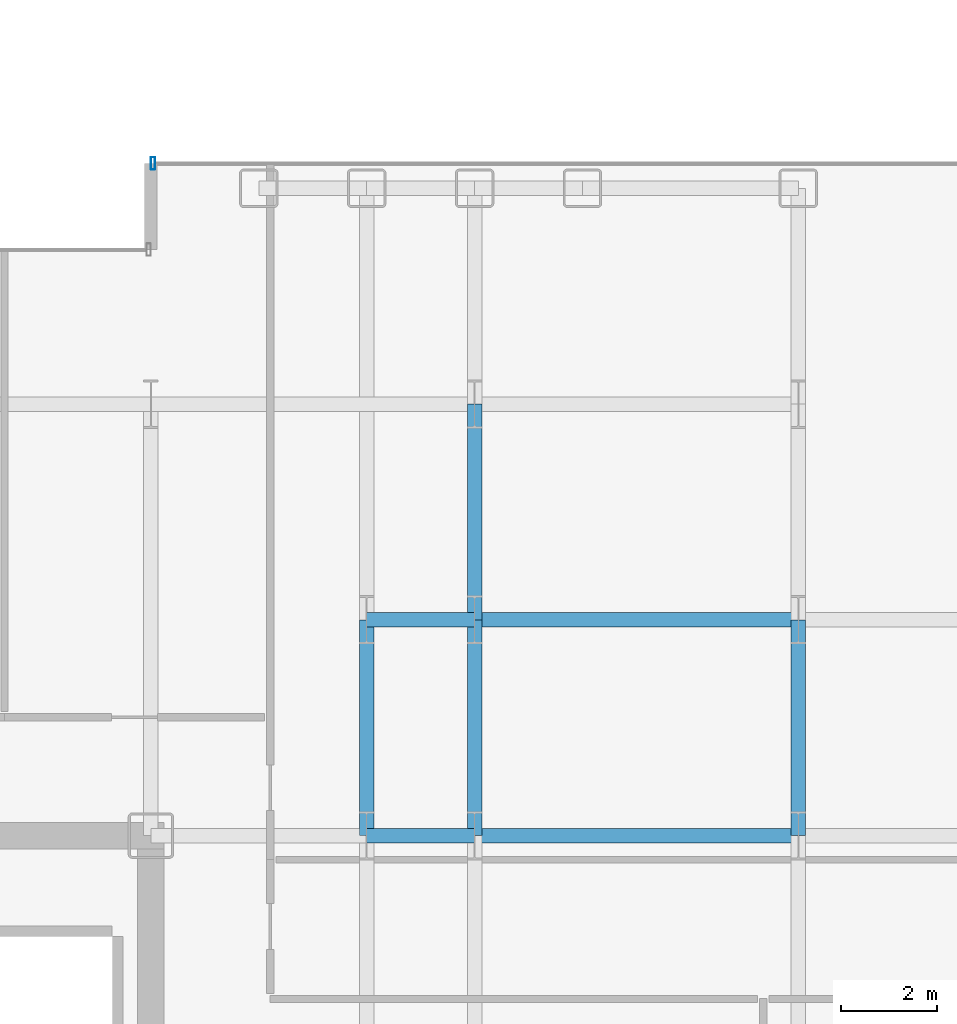
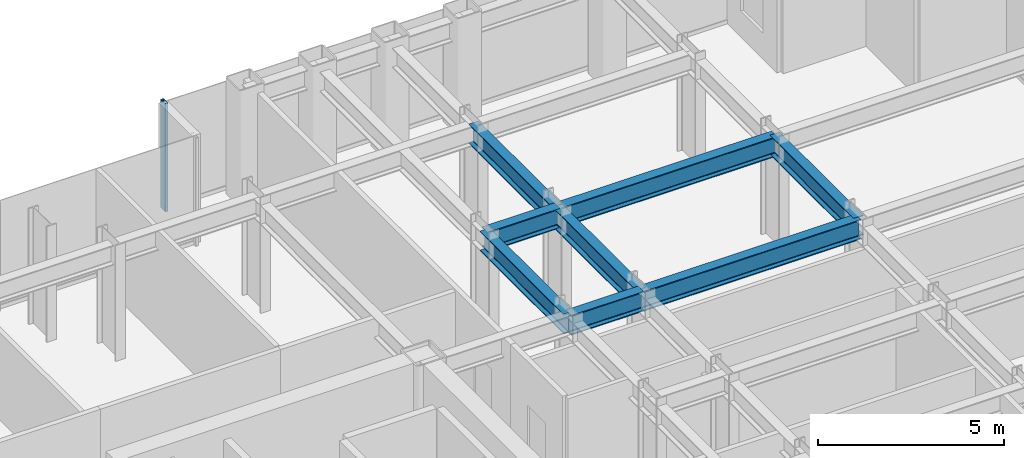
# One storey, part 15 of 29: 8 beams, 1 member, 1 element without a shape of its own.
"""IFC4 building model written with IfcOpenShell, lengths in metres."""

from ifc_helpers import new_model, si_unit, direction, frame, origin, origin_2d, place, context, subcontext, project, spatial, hollow_rectangle, i_section, extrude, source, transform, mapped, material, layer, layer_set, material_profile, profile_set, type_object, element, aggregate, save


model = new_model("IFC4")

# Units and contexts
model_context = context("Model", 3, precision=1e-05, world=origin(), true_north=direction((0.0, 1.0)))
body_context = subcontext(model_context, "Body", "Model", "MODEL_VIEW")
ifc_project = project(units=[si_unit("LENGTHUNIT", "METRE"), si_unit("AREAUNIT", "SQUARE_METRE"), si_unit("VOLUMEUNIT", "CUBIC_METRE"), si_unit("PLANEANGLEUNIT", "RADIAN"), si_unit("MASSUNIT", "GRAM", prefix="KILO")], contexts=[model_context])

# Site, building, storey
site_placement = place(None, origin())
site = spatial("IfcSite", under=ifc_project, at=site_placement, CompositionType="ELEMENT")
building_placement = place(site_placement, origin())
building = spatial("IfcBuilding", under=site, at=building_placement, Name="Nefas-Gora Pilgrimage Tower", CompositionType="ELEMENT")
storey_placement = place(building_placement, frame((0.0, 0.0, 136.39990234375)))
storey = spatial("IfcBuildingStorey", under=building, at=storey_placement, Name="L33", CompositionType="ELEMENT", Elevation=136.39990234375)

# Beams
ifc_material_1 = material(Name="Steel S355", Category="steel")
ifc_material_profile_1 = material_profile(ifc_material_1, i_section(OverallWidth=0.300048828125, OverallDepth=0.64990234375, WebThickness=0.01611328125, FlangeThickness=0.031005859375, FilletRadius=0.027099609375, at=origin_2d()), Name="HEB 650")
ifc_profile_set_1 = profile_set([ifc_material_profile_1], Name="Steel S355")
beam_type = type_object("IfcBeamType", Name="BM-GIR-HEB650", PredefinedType="BEAM", material=ifc_profile_set_1)
shared_shape_1 = source(origin(), body_context, "Body", "SweptSolid", [
    extrude(i_section(OverallWidth=0.300048828125, OverallDepth=0.64990234375, WebThickness=0.01611328125, FlangeThickness=0.031005859375, FilletRadius=0.027099609375, at=origin_2d()), origin(), (0.0, 0.0, 1.0), 4.5),
])
for number, where, z_axis, x_axis, name in (
    (1, (15.75, 9.0, 3.22509765625), (0.0, 1.0, 0.0), (-1.0, 0.0, 0.0), "L33 G-03 beam"),
    (2, (18.0, 9.0, 3.22509765625), (0.0, 1.0, 0.0), (-1.0, 0.0, 0.0), "L33 G-03 beam"),
    (3, (18.0, 13.5, 3.22509765625), (0.0, 1.0, 0.0), (-1.0, 0.0, 0.0), "L33 G-03 beam"),
    (4, (24.75, 9.0, 3.22509765625), (0.0, 1.0, 0.0), (-1.0, 0.0, 0.0), "L33 G-03 beam"),
):
    element("IfcBeam", number, at=place(storey_placement, frame(where, z_axis=z_axis, x_axis=x_axis)), inside=storey, type_object=beam_type, Name=name, PredefinedType="BEAM", context=body_context, shape_type="MappedRepresentation", body=[
        mapped(shared_shape_1, transform((0.0, 0.0, 0.0), x_axis=(1.0, 0.0, 0.0), y_axis=(0.0, 1.0, 0.0), z_axis=(0.0, 0.0, 1.0), scale=1.0)),
    ])
shared_shape_2 = source(origin(), body_context, "Body", "SweptSolid", [
    extrude(i_section(OverallWidth=0.300048828125, OverallDepth=0.64990234375, WebThickness=0.01611328125, FlangeThickness=0.031005859375, FilletRadius=0.027099609375, at=origin_2d()), origin(), (0.0, 0.0, 1.0), 6.75),
])
for number, where, z_axis, x_axis, name in (
    (5, (18.0, 9.0, 3.22509765625), (1.0, 0.0, 0.0), (0.0, 1.0, 0.0), "L33 G-03 beam"),
    (6, (18.0, 13.5, 3.22509765625), (1.0, 0.0, 0.0), (0.0, 1.0, 0.0), "L33 G-03 beam"),
):
    element("IfcBeam", number, at=place(storey_placement, frame(where, z_axis=z_axis, x_axis=x_axis)), inside=storey, type_object=beam_type, Name=name, PredefinedType="BEAM", context=body_context, shape_type="MappedRepresentation", body=[
        mapped(shared_shape_2, transform((0.0, 0.0, 0.0), x_axis=(1.0, 0.0, 0.0), y_axis=(0.0, 1.0, 0.0), z_axis=(0.0, 0.0, 1.0), scale=1.0)),
    ])
shared_shape_3 = source(origin(), body_context, "Body", "SweptSolid", [
    extrude(i_section(OverallWidth=0.300048828125, OverallDepth=0.64990234375, WebThickness=0.01611328125, FlangeThickness=0.031005859375, FilletRadius=0.027099609375, at=origin_2d()), origin(), (0.0, 0.0, 1.0), 2.25),
])
for number, where, z_axis, x_axis, name in (
    (7, (15.75, 9.0, 3.22509765625), (1.0, 0.0, 0.0), (0.0, 1.0, 0.0), "L33 G-03 beam"),
    (8, (15.75, 13.5, 3.22509765625), (1.0, 0.0, 0.0), (0.0, 1.0, 0.0), "L33 G-03 beam"),
):
    element("IfcBeam", number, at=place(storey_placement, frame(where, z_axis=z_axis, x_axis=x_axis)), inside=storey, type_object=beam_type, Name=name, PredefinedType="BEAM", context=body_context, shape_type="MappedRepresentation", body=[
        mapped(shared_shape_3, transform((0.0, 0.0, 0.0), x_axis=(1.0, 0.0, 0.0), y_axis=(0.0, 1.0, 0.0), z_axis=(0.0, 0.0, 1.0), scale=1.0)),
    ])

# Curtain wall, member
ifc_material_2 = material(Name="Dark ceramic-fritted solar-control aluminium-glass curtain wall", Category="aluminium")
ifc_layer = layer(ifc_material_2, 0.219970703125)
ifc_layer_set = layer_set([ifc_layer], Name="Dark ceramic-fritted solar-control aluminium-glass curtain wall")
curtain_wall_type = type_object("IfcCurtainWallType", Name="CW-SYS-2", PredefinedType="NOTDEFINED", material=ifc_layer_set)
curtain_wall_placement = place(storey_placement, origin())
curtain_wall = element("IfcCurtainWall", 9, at=curtain_wall_placement, inside=storey, type_object=curtain_wall_type, Name="L33 Unitised Curtain Wall CW2", PredefinedType="NOTDEFINED")
ifc_material_3 = material(Name="Anodised architectural aluminium", Category="aluminium")
ifc_material_profile_2 = material_profile(ifc_material_3, hollow_rectangle(XDim=0.090087890625, YDim=0.260009765625, WallThickness=0.006103515625, InnerFilletRadius=0.006103515625, OuterFilletRadius=0.011962890625, at=origin_2d()), Name="ALU MULLION 90x260")
ifc_profile_set_2 = profile_set([ifc_material_profile_2], Name="Anodised architectural aluminium")
member_type = type_object("IfcMemberType", Name="CWM-MUL-2", PredefinedType="MULLION", material=ifc_profile_set_2)
shared_shape_4 = source(origin(), body_context, "Body", "SweptSolid", [
    extrude(hollow_rectangle(XDim=0.090087890625, YDim=0.260009765625, WallThickness=0.006103515625, InnerFilletRadius=0.006103515625, OuterFilletRadius=0.011962890625, at=origin_2d()), origin(), (0.0, 0.0, 1.0), 3.550048828125),
])
member_placement = place(storey_placement, frame((11.294921875, 23.02001953125, 0.0), z_axis=(0.0, 0.0, 1.0), x_axis=(-1.0, 0.0, 0.0)))
member = element("IfcMember", 10, at=member_placement, type_object=member_type, Name="CW2 Mullion 2", PredefinedType="MULLION", context=body_context, shape_type="MappedRepresentation", body=[
    mapped(shared_shape_4, transform((0.0, 0.0, 0.0), x_axis=(1.0, 0.0, 0.0), y_axis=(0.0, 1.0, 0.0), z_axis=(0.0, 0.0, 1.0), scale=1.0)),
])
aggregate(curtain_wall, [member])

save(model, "model.ifc")
